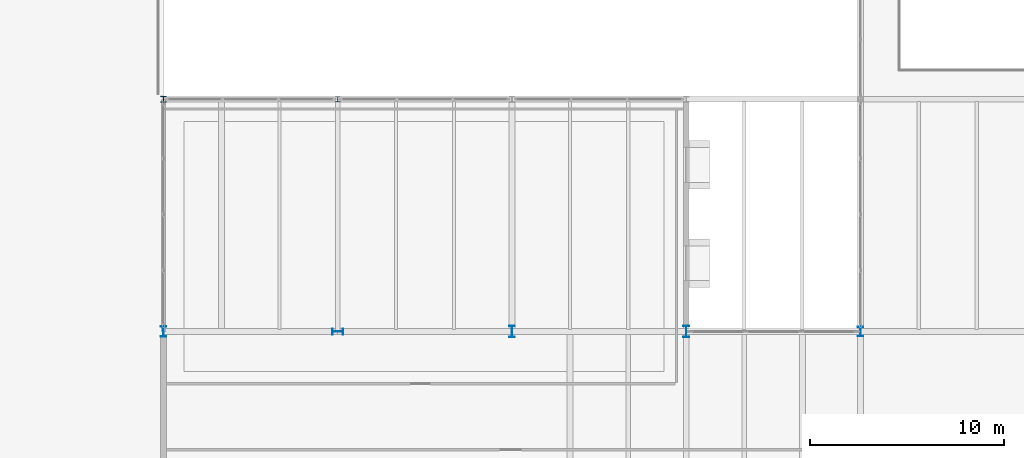
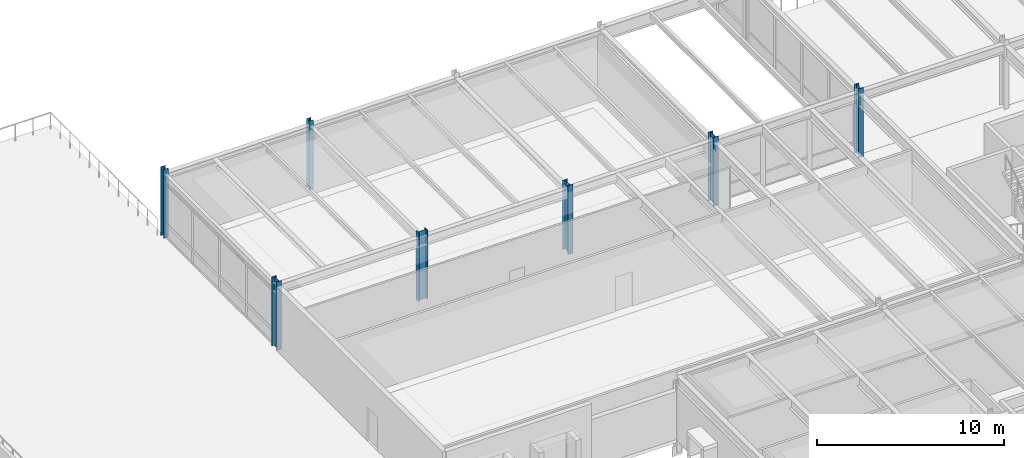
# One storey, part 2 of 127: 7 columns.
"""IFC4 building model written with IfcOpenShell, lengths in metres."""

from ifc_helpers import new_model, si_unit, direction, frame, origin, origin_2d, place, context, subcontext, project, spatial, i_section, extrude, material, material_profile, profile_set, type_object, element, save


model = new_model("IFC4")

# Units and contexts
model_context = context("Model", 3, precision=1e-05, world=origin(), true_north=direction((0.0, 1.0)))
body_context = subcontext(model_context, "Body", "Model", "MODEL_VIEW")
ifc_project = project(units=[si_unit("LENGTHUNIT", "METRE"), si_unit("AREAUNIT", "SQUARE_METRE"), si_unit("VOLUMEUNIT", "CUBIC_METRE"), si_unit("PLANEANGLEUNIT", "RADIAN"), si_unit("MASSUNIT", "GRAM", prefix="KILO")], contexts=[model_context])

# Site, building, storey
site_placement = place(None, origin())
site = spatial("IfcSite", under=ifc_project, at=site_placement, CompositionType="ELEMENT")
building_placement = place(site_placement, origin())
building = spatial("IfcBuilding", under=site, at=building_placement, Name="Montelvaro Courts of Justice", CompositionType="ELEMENT")
storey_placement = place(building_placement, frame((0.0, 0.0, 5.39990234375)))
storey = spatial("IfcBuildingStorey", under=building, at=storey_placement, Name="L01", CompositionType="ELEMENT", Elevation=5.39990234375)

# Columns
ifc_material = material(Name="Steel S355", Category="steel")
ifc_material_profile_1 = material_profile(ifc_material, i_section(OverallWidth=0.280029296875, OverallDepth=0.280029296875, WebThickness=0.010498046875, FlangeThickness=0.01806640625, at=origin_2d()), Name="HEB 280")
ifc_profile_set_1 = profile_set([ifc_material_profile_1], Name="Steel S355")
column_type_1 = type_object("IfcColumnType", Name="Col_HEB280", PredefinedType="COLUMN", material=ifc_profile_set_1)
column_1_placement = place(storey_placement, frame((27.0, 54.0, 0.0), z_axis=(0.0, 0.0, 1.0), x_axis=(1.0, 0.0, 0.0)))
element("IfcColumn", 1, at=column_1_placement, inside=storey, type_object=column_type_1, Name="Column C-02 L01 4/E", PredefinedType="COLUMN", context=body_context, shape_type="SweptSolid", body=[
    extrude(i_section(OverallWidth=0.280029296875, OverallDepth=0.280029296875, WebThickness=0.010498046875, FlangeThickness=0.01806640625, at=origin_2d()), origin(), (0.0, 0.0, 1.0), 4.5),
])
ifc_material_profile_2 = material_profile(ifc_material, i_section(OverallWidth=0.300048828125, OverallDepth=0.320068359375, WebThickness=0.011474609375, FlangeThickness=0.0205078125, at=origin_2d()), Name="HEB 320")
ifc_profile_set_2 = profile_set([ifc_material_profile_2], Name="Steel S355")
column_type_2 = type_object("IfcColumnType", Name="Col_HEB320", PredefinedType="COLUMN", material=ifc_profile_set_2)
column_2_placement = place(storey_placement, frame((18.0, 54.0, 0.0), z_axis=(0.0, 0.0, 1.0), x_axis=(1.0, 0.0, 0.0)))
element("IfcColumn", 2, at=column_2_placement, inside=storey, type_object=column_type_2, Name="Column C-04 L01 3/E", PredefinedType="COLUMN", context=body_context, shape_type="SweptSolid", body=[
    extrude(i_section(OverallWidth=0.300048828125, OverallDepth=0.320068359375, WebThickness=0.011474609375, FlangeThickness=0.0205078125, at=origin_2d()), origin(), (0.0, 0.0, 1.0), 4.5),
])
ifc_material_profile_3 = material_profile(ifc_material, i_section(OverallWidth=0.300048828125, OverallDepth=0.5, WebThickness=0.014404296875, FlangeThickness=0.028076171875, at=origin_2d()), Name="HEB 500")
ifc_profile_set_3 = profile_set([ifc_material_profile_3], Name="Steel S355")
column_type_3 = type_object("IfcColumnType", Name="Col_HEB500", PredefinedType="COLUMN", material=ifc_profile_set_3)
column_3_placement = place(storey_placement, frame((54.0, 42.0, 0.0), z_axis=(0.0, 0.0, 1.0), x_axis=(1.0, 0.0, 0.0)))
element("IfcColumn", 3, at=column_3_placement, inside=storey, type_object=column_type_3, Name="Column C-09 L01 7/D", PredefinedType="COLUMN", context=body_context, shape_type="SweptSolid", body=[
    extrude(i_section(OverallWidth=0.300048828125, OverallDepth=0.5, WebThickness=0.014404296875, FlangeThickness=0.028076171875, at=origin_2d()), origin(), (0.0, 0.0, 1.0), 4.5),
])
ifc_material_profile_4 = material_profile(ifc_material, i_section(OverallWidth=0.300048828125, OverallDepth=0.550048828125, WebThickness=0.014892578125, FlangeThickness=0.029052734375, at=origin_2d()), Name="HEB 550")
ifc_profile_set_4 = profile_set([ifc_material_profile_4], Name="Steel S355")
column_type_4 = type_object("IfcColumnType", Name="Col_HEB550", PredefinedType="COLUMN", material=ifc_profile_set_4)
for number, where, z_axis, x_axis, name in (
    (4, (18.0, 42.0, 0.0), (0.0, 0.0, 1.0), (1.0, 0.0, 0.0), "Column C-10 L01 3/D"),
    (5, (27.0, 42.0, 0.0), (0.0, 0.0, 1.0), (0.0, 1.0, 0.0), "Column C-10 L01 4/D"),
):
    element("IfcColumn", number, at=place(storey_placement, frame(where, z_axis=z_axis, x_axis=x_axis)), inside=storey, type_object=column_type_4, Name=name, PredefinedType="COLUMN", context=body_context, shape_type="SweptSolid", body=[
        extrude(i_section(OverallWidth=0.300048828125, OverallDepth=0.550048828125, WebThickness=0.014892578125, FlangeThickness=0.029052734375, at=origin_2d()), origin(), (0.0, 0.0, 1.0), 4.5),
    ])
ifc_material_profile_5 = material_profile(ifc_material, i_section(OverallWidth=0.300048828125, OverallDepth=0.60009765625, WebThickness=0.015380859375, FlangeThickness=0.030029296875, at=origin_2d()), Name="HEB 600")
ifc_profile_set_5 = profile_set([ifc_material_profile_5], Name="Steel S355")
column_type_5 = type_object("IfcColumnType", Name="Col_HEB600", PredefinedType="COLUMN", material=ifc_profile_set_5)
for number, where, z_axis, x_axis, name in (
    (6, (36.0, 42.0, 0.0), (0.0, 0.0, 1.0), (1.0, 0.0, 0.0), "Column C-11 L01 5/D"),
    (7, (45.0, 42.0, 0.0), (0.0, 0.0, 1.0), (1.0, 0.0, 0.0), "Column C-11 L01 6/D"),
):
    element("IfcColumn", number, at=place(storey_placement, frame(where, z_axis=z_axis, x_axis=x_axis)), inside=storey, type_object=column_type_5, Name=name, PredefinedType="COLUMN", context=body_context, shape_type="SweptSolid", body=[
        extrude(i_section(OverallWidth=0.300048828125, OverallDepth=0.60009765625, WebThickness=0.015380859375, FlangeThickness=0.030029296875, at=origin_2d()), origin(), (0.0, 0.0, 1.0), 4.5),
    ])

save(model, "model.ifc")
